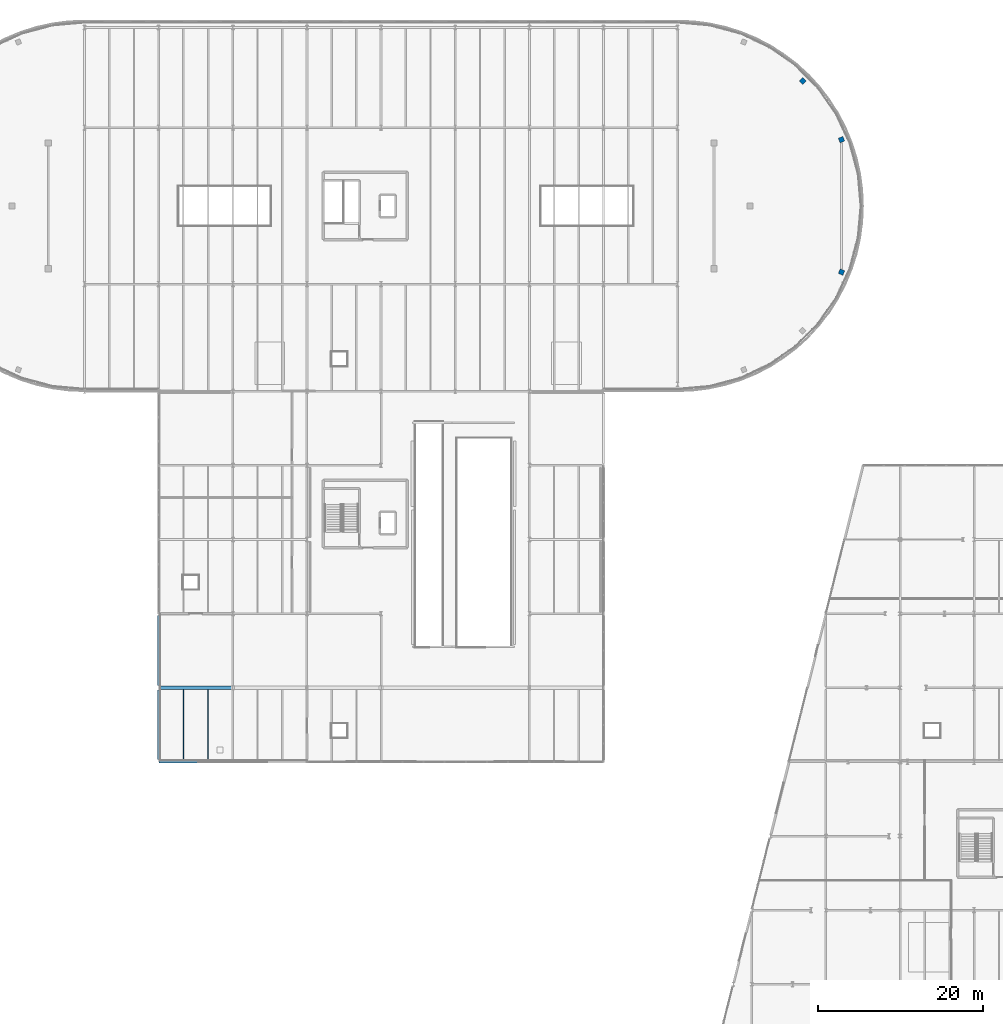
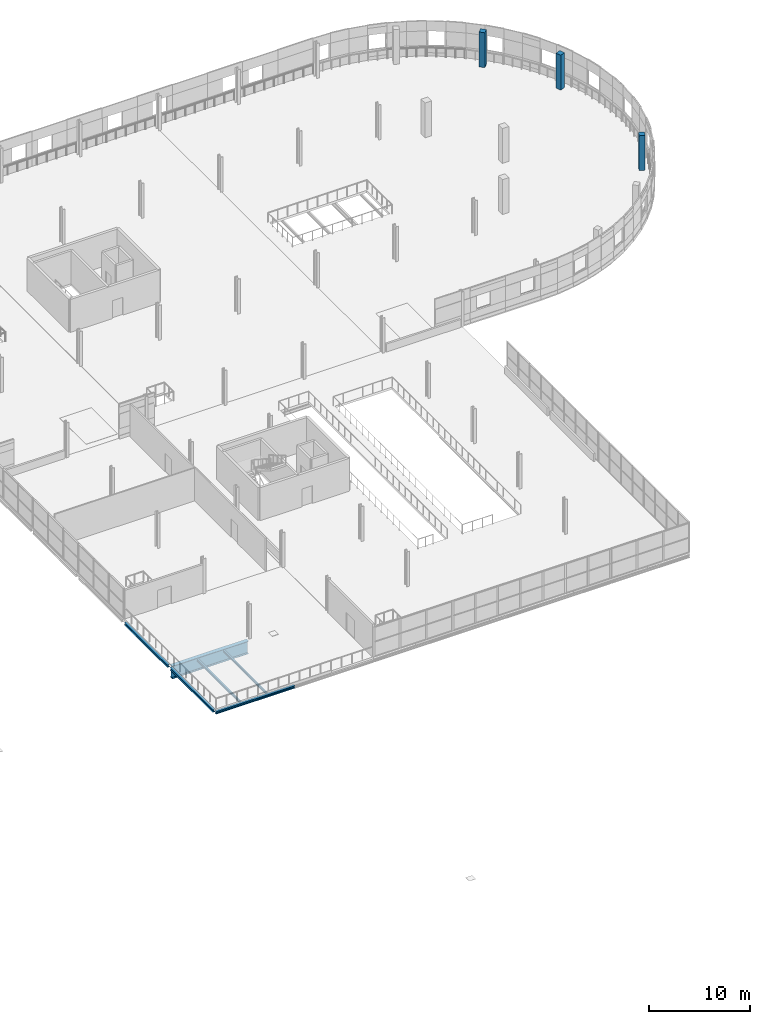
# One storey, part 13 of 88: 6 beams, 3 columns.
"""IFC4 building model written with IfcOpenShell, lengths in metres."""

import ifcopenshell
import ifcopenshell.guid

model = None  # the IFC model being written
_history = None  # IfcOwnerHistory: only IFC2X3 demands one
_inside = {}  # id of a spatial element -> (the spatial element, [elements in it])
_under = {}  # id of a project, library or spatial element -> (it, [spatial elements below it])
_declared = {}  # id of a project -> (the project, [libraries it declares])
_typed = {}  # id of a type object -> (the type object, [elements of that type])
_made_of = {}  # id of a material, layer set ... -> (it, [elements and type objects made of it])


def new_model(schema):
    """Start an empty IFC model of exactly this schema.

    Asked for "IFC4X3", IfcOpenShell would pick the latest addendum, in which some entities
    have other attributes; the version numbers below select the first issue.
    IFC2X3 requires an IfcOwnerHistory on every rooted entity: one is made here for all.
    """
    global model, _history
    if schema == "IFC4X3":
        model = ifcopenshell.file(schema_version=(4, 3, 0, 0))
    else:
        model = ifcopenshell.file(schema=schema)
    _inside.clear()
    _under.clear()
    _declared.clear()
    _typed.clear()
    _made_of.clear()
    _history = None
    if model.schema == "IFC2X3":
        org = make("IfcOrganization", Name="unknown")
        user = make(
            "IfcPersonAndOrganization",
            ThePerson=make("IfcPerson", FamilyName="unknown"),
            TheOrganization=org,
        )
        app = make(
            "IfcApplication",
            ApplicationDeveloper=org,
            Version="unknown",
            ApplicationFullName="unknown",
            ApplicationIdentifier="unknown",
        )
        _history = make(
            "IfcOwnerHistory",
            OwningUser=user,
            OwningApplication=app,
            ChangeAction="ADDED",
            CreationDate=0,
        )
    return model


def make(cls, **values):
    """One entity of the class cls with the attributes given. An attribute that is None is left unset."""
    return model.create_entity(
        cls, **{name: value for name, value in values.items() if value is not None}
    )


def rooted(cls, **values):
    """An entity with a GlobalId (a new one), such as an element, a storey or a relation."""
    return make(cls, GlobalId=ifcopenshell.guid.new(), OwnerHistory=_history, **values)


def si_unit(unit_type, name, prefix=None):
    """IfcSIUnit, for example si_unit("LENGTHUNIT", "METRE", prefix="MILLI")."""
    return make("IfcSIUnit", UnitType=unit_type, Prefix=prefix, Name=name)


def assignment(units):
    """IfcUnitAssignment: the units of a project."""
    return None if units is None else make("IfcUnitAssignment", Units=units)


def point(xyz):
    """IfcCartesianPoint."""
    return None if xyz is None else make("IfcCartesianPoint", Coordinates=xyz)


def direction(xyz):
    """IfcDirection."""
    return None if xyz is None else make("IfcDirection", DirectionRatios=xyz)


def frame(location, z_axis=None, x_axis=None):
    """IfcAxis2Placement3D, a coordinate frame: its origin and axes. An axis left out is left unset."""
    return make(
        "IfcAxis2Placement3D",
        Location=point(location),
        Axis=direction(z_axis),
        RefDirection=direction(x_axis),
    )


def frame_2d(location, x_axis=None):
    """IfcAxis2Placement2D, a coordinate frame in the plane: its origin and x axis."""
    return make(
        "IfcAxis2Placement2D", Location=point(location), RefDirection=direction(x_axis)
    )


def origin():
    """The frame at (0, 0, 0) with its axes left unset."""
    return frame((0.0, 0.0, 0.0))


def origin_2d():
    """The frame at (0, 0) in the plane with its x axis left unset."""
    return frame_2d((0.0, 0.0))


def place(relative_to, where):
    """IfcLocalPlacement: puts the frame where relative to a parent placement (None: the world)."""
    return make(
        "IfcLocalPlacement", PlacementRelTo=relative_to, RelativePlacement=where
    )


def context(
    kind, dimensions, precision=None, world=None, true_north=None, identifier=None
):
    """IfcGeometricRepresentationContext, for example the 3D "Model" context."""
    return make(
        "IfcGeometricRepresentationContext",
        ContextIdentifier=identifier,
        ContextType=kind,
        CoordinateSpaceDimension=dimensions,
        Precision=precision,
        WorldCoordinateSystem=world,
        TrueNorth=true_north,
    )


def subcontext(parent, identifier, kind, view, scale=None):
    """IfcGeometricRepresentationSubContext, for example "Body" below "Model"."""
    return make(
        "IfcGeometricRepresentationSubContext",
        ContextIdentifier=identifier,
        ContextType=kind,
        ParentContext=parent,
        TargetScale=scale,
        TargetView=view,
    )


def project(units=None, contexts=None):
    """IfcProject with its units and contexts."""
    return rooted(
        "IfcProject",
        Name="project",
        RepresentationContexts=contexts,
        UnitsInContext=assignment(units),
    )


def spatial(cls, under=None, at=None, **own):
    """A site, building, storey or space (cls), placed at a placement, below another one or the project."""
    s = rooted(cls, ObjectPlacement=at, **own)
    if under is not None:
        _under.setdefault(under.id(), (under, []))[1].append(s)
    return s


def profile(cls, at=None, kind="AREA", **sizes):
    """A parametric profile (cls). Its sizes go by their IFC names, for example OverallWidth=200.0."""
    return make(cls, ProfileType=kind, Position=at, **sizes)


def rectangle(**sizes):
    """IfcRectangleProfileDef."""
    return profile("IfcRectangleProfileDef", **sizes)


def i_section(**sizes):
    """IfcIShapeProfileDef."""
    return profile("IfcIShapeProfileDef", **sizes)


def extrude(swept, where, along, depth):
    """IfcExtrudedAreaSolid: the profile swept, set in the frame where, extruded along a direction by depth."""
    return make(
        "IfcExtrudedAreaSolid",
        SweptArea=swept,
        Position=where,
        ExtrudedDirection=direction(along),
        Depth=depth,
    )


def shape(context_of_items, identifier, shape_type, items):
    """IfcShapeRepresentation: the items that make up one representation, for example the "Body"."""
    return make(
        "IfcShapeRepresentation",
        ContextOfItems=context_of_items,
        RepresentationIdentifier=identifier,
        RepresentationType=shape_type,
        Items=items,
    )


def material(Name=None, Category=None):
    """IfcMaterial."""
    return make("IfcMaterial", Name=Name, Category=Category)


def material_profile(
    of_material, cross_section, Name=None, Category=None, Priority=None
):
    """IfcMaterialProfile: a cross section and its material."""
    return make(
        "IfcMaterialProfile",
        Name=Name,
        Material=of_material,
        Profile=cross_section,
        Priority=Priority,
        Category=Category,
    )


def profile_set(profiles, Name=None, composite=None):
    """IfcMaterialProfileSet."""
    return make(
        "IfcMaterialProfileSet",
        Name=Name,
        MaterialProfiles=profiles,
        CompositeProfile=composite,
    )


def made_of(thing, what):
    """Note that an element or type object is made of a material, layer set ...; save() writes the relation."""
    if what is not None:
        _made_of.setdefault(what.id(), (what, []))[1].append(thing)
    return thing


def type_object(cls, material=None, **own):
    """A type object (cls), such as IfcWallType, which elements share."""
    return made_of(rooted(cls, **own), material)


def element(
    cls,
    number,
    at=None,
    inside=None,
    cuts=None,
    type_object=None,
    material=None,
    context=None,
    identifier="Body",
    shape_type=None,
    held_by="IfcProductDefinitionShape",
    body=None,
    shapes=None,
    **own,
):
    """One element of the class cls, such as IfcWall. Its Tag is "e" and its number.

    at: its placement. inside: the storey or other place that contains it. cuts: it is an
    opening in that element (IfcRelVoidsElement). A single representation is given by context,
    identifier, shape_type and body (its items); several are given by shapes. held_by: the class
    of the entity that holds the representations. save() writes the other relations.
    """
    e = rooted(cls, Tag="e%d" % number, ObjectPlacement=at, **own)
    if body is not None:
        shapes = [shape(context, identifier, shape_type, body)]
    if shapes is not None:
        e.Representation = make(held_by, Representations=shapes)
    if inside is not None:
        _inside.setdefault(inside.id(), (inside, []))[1].append(e)
    if cuts is not None:
        rooted(
            "IfcRelVoidsElement", RelatingBuildingElement=cuts, RelatedOpeningElement=e
        )
    if type_object is not None:
        _typed.setdefault(type_object.id(), (type_object, []))[1].append(e)
    return made_of(e, material)


def aggregate(whole, parts):
    """IfcRelAggregates: a whole, such as a stair, and the parts it consists of."""
    return rooted("IfcRelAggregates", RelatingObject=whole, RelatedObjects=parts)


def save(model, path):
    """Write the relations noted so far, then the file.

    IfcRelAggregates (storeys below a building ...), IfcRelContainedInSpatialStructure (elements
    in a storey), IfcRelDefinesByType, IfcRelAssociatesMaterial and IfcRelDeclares: one each for
    every whole, place, type object, material and project.
    """
    for whole, parts in _under.values():
        aggregate(whole, parts)
    for where, things in _inside.values():
        rooted(
            "IfcRelContainedInSpatialStructure",
            RelatedElements=things,
            RelatingStructure=where,
        )
    for kind, things in _typed.values():
        rooted("IfcRelDefinesByType", RelatedObjects=things, RelatingType=kind)
    for what, things in _made_of.values():
        rooted("IfcRelAssociatesMaterial", RelatedObjects=things, RelatingMaterial=what)
    for by, libraries in _declared.values():
        rooted("IfcRelDeclares", RelatingContext=by, RelatedDefinitions=libraries)
    model.write(path)


model = new_model("IFC4")

# Units and contexts
model_context = context("Model", 3, precision=1e-05, world=origin(), true_north=direction((0.0, 1.0)))
body_context = subcontext(model_context, "Body", "Model", "MODEL_VIEW")
ifc_project = project(units=[si_unit("LENGTHUNIT", "METRE"), si_unit("AREAUNIT", "SQUARE_METRE"), si_unit("VOLUMEUNIT", "CUBIC_METRE"), si_unit("PLANEANGLEUNIT", "RADIAN"), si_unit("MASSUNIT", "GRAM", prefix="KILO")], contexts=[model_context])

# Site, building, storey
site_placement = place(None, origin())
site = spatial("IfcSite", under=ifc_project, at=site_placement, CompositionType="ELEMENT")
building_placement = place(site_placement, origin())
building = spatial("IfcBuilding", under=site, at=building_placement, Name="Deido Ridge Mobility Hub", CompositionType="ELEMENT")
storey_placement = place(building_placement, frame((0.0, 0.0, 16.800048828125)))
storey = spatial("IfcBuildingStorey", under=building, at=storey_placement, Name="L04", CompositionType="ELEMENT", Elevation=16.800048828125)

# Columns
ifc_material_1 = material(Name="Concrete C40/50", Category="concrete")
ifc_material_profile_1 = material_profile(ifc_material_1, rectangle(XDim=0.60009765625, YDim=0.60009765625, at=origin_2d()), Name="RC COL 600x600")
ifc_profile_set_1 = profile_set([ifc_material_profile_1], Name="Concrete C40/50")
column_type = type_object("IfcColumnType", Name="COL-RC600", PredefinedType="COLUMN", material=ifc_profile_set_1)
for number, where, z_axis, x_axis, name in (
    (1, (136.88818359375, 95.464599609375, 0.0), (0.0, 0.0, 1.0), (0.927183854567, -0.374606593416, 0.0), "Structural column RC2"),
    (2, (136.88818359375, 111.535400390625, 0.0), (0.0, 0.0, 1.0), (0.927183854567, 0.374606593416, 0.0), "Structural column RC2"),
    (3, (132.16748046875, 118.66748046875, 0.0), (0.0, 0.0, 1.0), (0.707106781187, 0.707106781187, 0.0), "Structural column RC2"),
):
    element("IfcColumn", number, at=place(storey_placement, frame(where, z_axis=z_axis, x_axis=x_axis)), inside=storey, type_object=column_type, Name=name, PredefinedType="COLUMN", context=body_context, shape_type="SweptSolid", body=[
        extrude(rectangle(XDim=0.60009765625, YDim=0.60009765625, at=origin_2d()), origin(), (0.0, 0.0, 1.0), 4.199951171875),
    ])

# Beams
ifc_material_2 = material(Name="Steel S355J2 EN 10025-2", Category="steel")
ifc_material_profile_2 = material_profile(ifc_material_2, i_section(OverallWidth=0.449951171875, OverallDepth=1.52001953125, WebThickness=0.02001953125, FlangeThickness=0.034912109375, FilletRadius=0.01611328125, at=origin_2d()), Name="WTG 1520x450")
ifc_profile_set_2 = profile_set([ifc_material_profile_2], Name="Steel S355J2 EN 10025-2")
beam_type_1 = type_object("IfcBeamType", Name="BM-TG-1520", PredefinedType="USERDEFINED", material=ifc_profile_set_2)
beam_1_placement = place(storey_placement, frame((54.14990234375, 45.0, -1.0), z_axis=(1.0, 0.0, 0.0), x_axis=(0.0, 1.0, 0.0)))
element("IfcBeam", 4, at=beam_1_placement, inside=storey, type_object=beam_type_1, Name="Transfer girder TG2", ObjectType="TRANSFER GIRDER", PredefinedType="USERDEFINED", context=body_context, shape_type="SweptSolid", body=[
    extrude(i_section(OverallWidth=0.449951171875, OverallDepth=1.52001953125, WebThickness=0.02001953125, FlangeThickness=0.034912109375, FilletRadius=0.01611328125, at=origin_2d()), origin(), (0.0, 0.0, 1.0), 8.7001953125),
])
ifc_material_profile_3 = material_profile(ifc_material_2, i_section(OverallWidth=0.135009765625, OverallDepth=0.27001953125, WebThickness=0.006591796875, FlangeThickness=0.01025390625, FilletRadius=0.014892578125, at=origin_2d()), Name="IPE 270")
ifc_profile_set_3 = profile_set([ifc_material_profile_3], Name="Steel S355J2 EN 10025-2")
beam_type_2 = type_object("IfcBeamType", Name="JST-IPE270", PredefinedType="JOIST", material=ifc_profile_set_3)
beam_2_placement = place(storey_placement, frame((60.0, 36.14990234375, -0.375), z_axis=(0.0, 1.0, 0.0), x_axis=(-1.0, 0.0, 0.0)))
element("IfcBeam", 5, at=beam_2_placement, inside=storey, type_object=beam_type_2, Name="Composite joist J4", PredefinedType="JOIST", context=body_context, shape_type="SweptSolid", body=[
    extrude(i_section(OverallWidth=0.135009765625, OverallDepth=0.27001953125, WebThickness=0.006591796875, FlangeThickness=0.01025390625, FilletRadius=0.014892578125, at=origin_2d()), origin(), (0.0, 0.0, 1.0), 8.625),
])
ifc_material_profile_4 = material_profile(ifc_material_2, i_section(OverallWidth=0.14990234375, OverallDepth=0.300048828125, WebThickness=0.007080078125, FlangeThickness=0.0107421875, FilletRadius=0.014892578125, at=origin_2d()), Name="IPE 300")
ifc_profile_set_4 = profile_set([ifc_material_profile_4], Name="Steel S355J2 EN 10025-2")
beam_type_3 = type_object("IfcBeamType", Name="JST-IPE300", PredefinedType="JOIST", material=ifc_profile_set_4)
beam_3_placement = place(storey_placement, frame((57.0, 36.14990234375, -0.39013671875), z_axis=(0.0, 1.0, 0.0), x_axis=(-1.0, 0.0, 0.0)))
element("IfcBeam", 6, at=beam_3_placement, inside=storey, type_object=beam_type_3, Name="Composite joist J3", PredefinedType="JOIST", context=body_context, shape_type="SweptSolid", body=[
    extrude(i_section(OverallWidth=0.14990234375, OverallDepth=0.300048828125, WebThickness=0.007080078125, FlangeThickness=0.0107421875, FilletRadius=0.014892578125, at=origin_2d()), origin(), (0.0, 0.0, 1.0), 8.625),
])
ifc_material_profile_5 = material_profile(ifc_material_2, i_section(OverallWidth=0.300048828125, OverallDepth=0.300048828125, WebThickness=0.010986328125, FlangeThickness=0.01904296875, FilletRadius=0.027099609375, at=origin_2d()), Name="HEB 300")
ifc_profile_set_5 = profile_set([ifc_material_profile_5], Name="Steel S355J2 EN 10025-2")
beam_type_4 = type_object("IfcBeamType", Name="SPD-HEB300", PredefinedType="SPANDREL", material=ifc_profile_set_5)
beam_4_placement = place(storey_placement, frame((54.0078125, 36.0, -0.39013671875), z_axis=(1.0, 0.0, 0.0), x_axis=(0.0, 1.0, 0.0)))
element("IfcBeam", 7, at=beam_4_placement, inside=storey, type_object=beam_type_4, Name="Floor beam SP1", PredefinedType="SPANDREL", context=body_context, shape_type="SweptSolid", body=[
    extrude(i_section(OverallWidth=0.300048828125, OverallDepth=0.300048828125, WebThickness=0.010986328125, FlangeThickness=0.01904296875, FilletRadius=0.027099609375, at=origin_2d()), origin(), (0.0, 0.0, 1.0), 8.985107421875),
])
beam_5_placement = place(storey_placement, frame((54.0, 36.300048828125, -0.39013671875), z_axis=(0.0, 1.0, 0.0), x_axis=(-1.0, 0.0, 0.0)))
element("IfcBeam", 8, at=beam_5_placement, inside=storey, type_object=beam_type_4, Name="Floor beam SP1", PredefinedType="SPANDREL", context=body_context, shape_type="SweptSolid", body=[
    extrude(i_section(OverallWidth=0.300048828125, OverallDepth=0.300048828125, WebThickness=0.010986328125, FlangeThickness=0.01904296875, FilletRadius=0.027099609375, at=origin_2d()), origin(), (0.0, 0.0, 1.0), 8.449951171875),
])
beam_6_placement = place(storey_placement, frame((54.0, 45.25, -0.425048828125), z_axis=(0.0, 1.0, 0.0), x_axis=(-1.0, 0.0, 0.0)))
element("IfcBeam", 9, at=beam_6_placement, inside=storey, type_object=beam_type_4, Name="Floor beam SP1", PredefinedType="SPANDREL", context=body_context, shape_type="SweptSolid", body=[
    extrude(i_section(OverallWidth=0.300048828125, OverallDepth=0.300048828125, WebThickness=0.010986328125, FlangeThickness=0.01904296875, FilletRadius=0.027099609375, at=origin_2d()), origin(), (0.0, 0.0, 1.0), 8.5),
])

save(model, "model.ifc")
